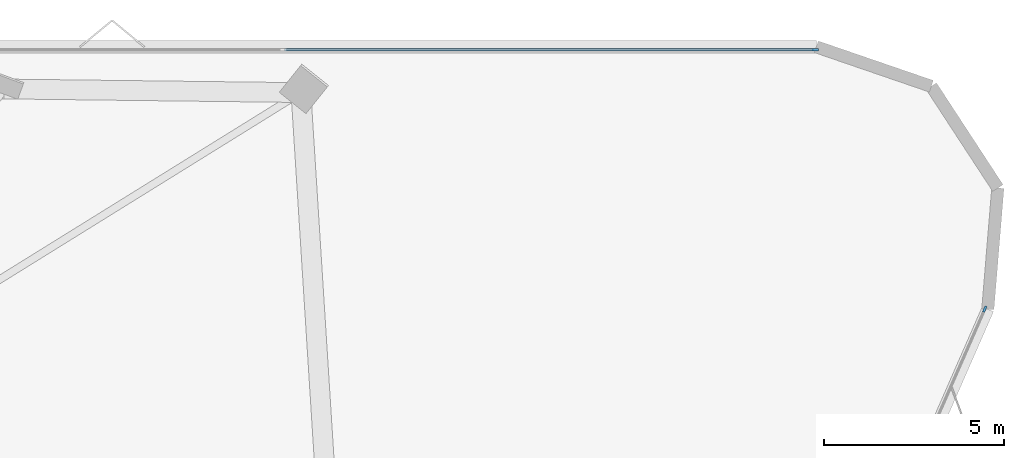
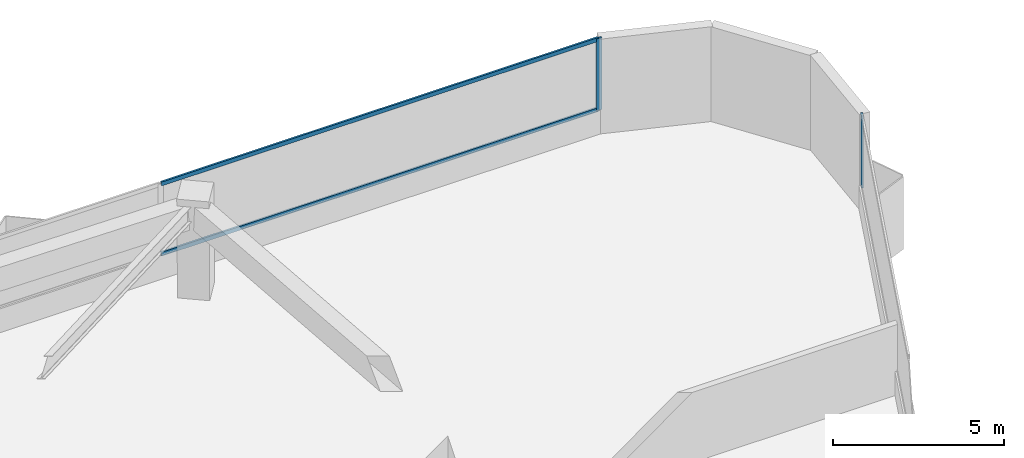
# One storey, part 13 of 20: 4 members, 2 elements without a shape of their own.
"""IFC4 building model written with IfcOpenShell, lengths in metres."""

from ifc_helpers import new_model, si_unit, direction, frame, origin, origin_2d, place, context, subcontext, project, spatial, rectangle, extrude, material, layer, layer_set, material_profile, profile_set, type_object, element, aggregate, save


model = new_model("IFC4")

# Units and contexts
model_context = context("Model", 3, precision=1e-05, world=origin(), true_north=direction((0.0, 1.0)))
body_context = subcontext(model_context, "Body", "Model", "MODEL_VIEW")
ifc_project = project(units=[si_unit("LENGTHUNIT", "METRE"), si_unit("AREAUNIT", "SQUARE_METRE"), si_unit("VOLUMEUNIT", "CUBIC_METRE"), si_unit("PLANEANGLEUNIT", "RADIAN"), si_unit("MASSUNIT", "GRAM", prefix="KILO")], contexts=[model_context])

# Site, building, storey
site_placement = place(None, origin())
site = spatial("IfcSite", under=ifc_project, at=site_placement, CompositionType="ELEMENT")
building_placement = place(site_placement, origin())
building = spatial("IfcBuilding", under=site, at=building_placement, Name="Talyreon Biosciences Tower", CompositionType="ELEMENT")
storey_placement = place(building_placement, frame((0.0, 0.0, 26.449951171875)))
storey = spatial("IfcBuildingStorey", under=building, at=storey_placement, Name="L06", CompositionType="ELEMENT", Elevation=26.449951171875)

# Curtain wall, member
ifc_material_1 = material(Name="Thermally broken aluminium and low-E glazing", Category="aluminium")
ifc_layer = layer(ifc_material_1, 0.195068359375)
ifc_layer_set = layer_set([ifc_layer], Name="Thermally broken aluminium and low-E glazing")
curtain_wall_type = type_object("IfcCurtainWallType", Name="CurtainWall_Zone1WetLab", PredefinedType="NOTDEFINED", material=ifc_layer_set)
curtain_wall_1_placement = place(storey_placement, origin())
curtain_wall_1 = element("IfcCurtainWall", 1, at=curtain_wall_1_placement, inside=storey, type_object=curtain_wall_type, Name="L06 Unitised Curtain Wall FCW-L06-04", PredefinedType="NOTDEFINED")
ifc_material_2 = material(Name="Anodised thermally broken aluminium", Category="aluminium")
ifc_material_profile_1 = material_profile(ifc_material_2, rectangle(XDim=0.06494140625, YDim=0.179931640625, at=origin_2d()), Name="ALUM MULLION 65x180")
ifc_profile_set_1 = profile_set([ifc_material_profile_1], Name="Anodised thermally broken aluminium")
member_type_1 = type_object("IfcMemberType", Name="CWMullion_65x180", PredefinedType="MULLION", material=ifc_profile_set_1)
member_1_placement = place(storey_placement, frame((95.5791015625, 92.474365234375, 0.81005859375), z_axis=(0.0, 0.0, 1.0), x_axis=(0.0, 1.0, 0.0)))
member_1 = element("IfcMember", 2, at=member_1_placement, type_object=member_type_1, Name="CW2 mullion 5", PredefinedType="MULLION", context=body_context, shape_type="SweptSolid", body=[
    extrude(rectangle(XDim=0.06494140625, YDim=0.179931640625, at=origin_2d()), origin(), (0.0, 0.0, 1.0), 2.56494140625),
])

curtain_wall_2_placement = place(storey_placement, origin())
curtain_wall_2 = element("IfcCurtainWall", 3, at=curtain_wall_2_placement, inside=storey, type_object=curtain_wall_type, Name="L06 Unitised Curtain Wall FCW-L06-08", PredefinedType="NOTDEFINED")
member_2_placement = place(storey_placement, frame((100.2880859375, 85.26953125, 0.81005859375), z_axis=(0.0, 0.0, 1.0), x_axis=(0.915926900592, -0.401345129249, 0.0)))
member_2 = element("IfcMember", 4, at=member_2_placement, type_object=member_type_1, Name="CW2 mullion 1", PredefinedType="MULLION", context=body_context, shape_type="SweptSolid", body=[
    extrude(rectangle(XDim=0.06494140625, YDim=0.179931640625, at=origin_2d()), origin(), (0.0, 0.0, 1.0), 2.56494140625),
])
aggregate(curtain_wall_2, [member_2])

# Member
ifc_material_profile_2 = material_profile(ifc_material_2, rectangle(XDim=0.06494140625, YDim=0.139892578125, at=origin_2d()), Name="ALUM TRANSOM 65x140")
ifc_profile_set_2 = profile_set([ifc_material_profile_2], Name="Anodised thermally broken aluminium")
member_type_2 = type_object("IfcMemberType", Name="CWTransom_65x140", PredefinedType="USERDEFINED", material=ifc_profile_set_2)
member_3_placement = place(storey_placement, frame((80.838134765625, 92.474365234375, 0.842529296875), z_axis=(1.0, 0.0, 0.0), x_axis=(0.0, 1.0, 0.0)))
member_3 = element("IfcMember", 5, at=member_3_placement, type_object=member_type_2, Name="CW2 transom 4.1", ObjectType="TRANSOM", PredefinedType="USERDEFINED", context=body_context, shape_type="SweptSolid", body=[
    extrude(rectangle(XDim=0.06494140625, YDim=0.139892578125, at=origin_2d()), origin(), (0.0, 0.0, 1.0), 14.708251953125),
])

member_4_placement = place(storey_placement, frame((80.838134765625, 92.474365234375, 3.342529296875), z_axis=(1.0, 0.0, 0.0), x_axis=(0.0, 1.0, 0.0)))
member_4 = element("IfcMember", 6, at=member_4_placement, type_object=member_type_2, Name="CW2 transom 4.2", ObjectType="TRANSOM", PredefinedType="USERDEFINED", context=body_context, shape_type="SweptSolid", body=[
    extrude(rectangle(XDim=0.06494140625, YDim=0.139892578125, at=origin_2d()), origin(), (0.0, 0.0, 1.0), 14.708251953125),
])

aggregate(curtain_wall_1, [member_1, member_3, member_4])

save(model, "model.ifc")
